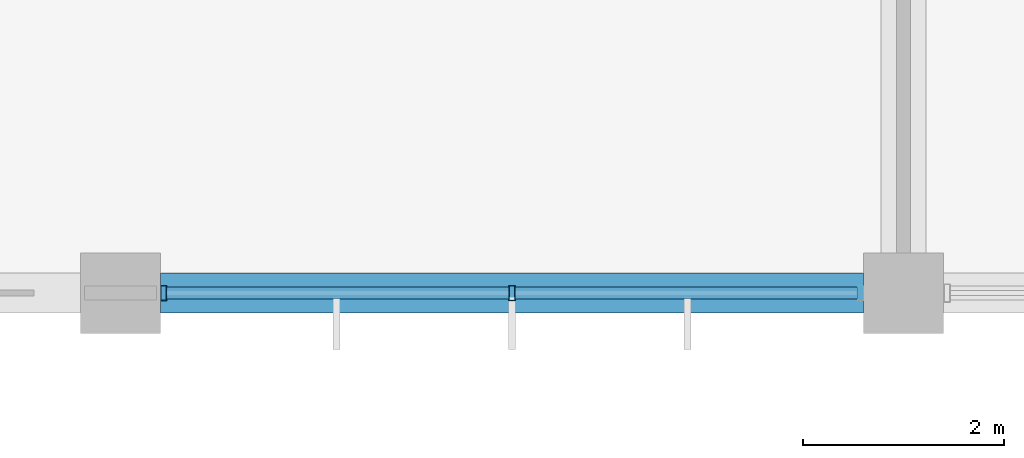
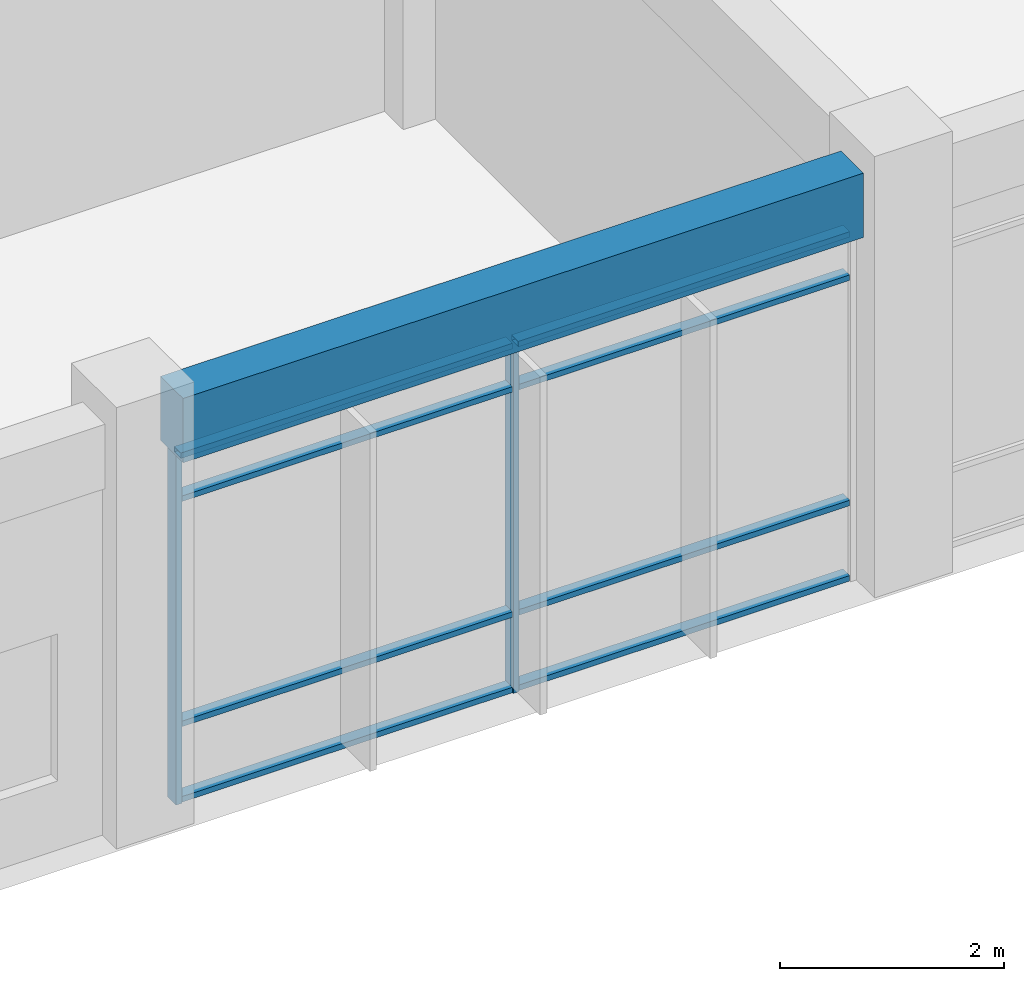
# One storey, part 9 of 62: 10 members, 1 beam, 1 element without a shape of its own.
"""IFC4 building model written with IfcOpenShell, lengths in metres."""

from ifc_helpers import new_model, si_unit, direction, frame, origin, origin_2d, place, context, subcontext, project, spatial, rectangle, hollow_rectangle, extrude, material, material_profile, profile_set, type_object, element, aggregate, save


model = new_model("IFC4")

# Units and contexts
model_context = context("Model", 3, precision=1e-05, world=origin(), true_north=direction((0.0, 1.0)))
body_context = subcontext(model_context, "Body", "Model", "MODEL_VIEW")
ifc_project = project(units=[si_unit("LENGTHUNIT", "METRE"), si_unit("AREAUNIT", "SQUARE_METRE"), si_unit("VOLUMEUNIT", "CUBIC_METRE"), si_unit("PLANEANGLEUNIT", "RADIAN"), si_unit("MASSUNIT", "GRAM", prefix="KILO"), si_unit("THERMODYNAMICTEMPERATUREUNIT", "KELVIN"), si_unit("POWERUNIT", "WATT")], contexts=[model_context])

# Site, building, storey
site_placement = place(None, origin())
site = spatial("IfcSite", under=ifc_project, at=site_placement, CompositionType="ELEMENT")
building_placement = place(site_placement, origin())
building = spatial("IfcBuilding", under=site, at=building_placement, Name="Srebrne Nadtorze General Hospital", CompositionType="ELEMENT")
storey_placement = place(building_placement, frame((0.0, 0.0, 9.60009765625)))
storey = spatial("IfcBuildingStorey", under=building, at=storey_placement, Name="L02", CompositionType="ELEMENT", Elevation=9.60009765625)

# Curtain wall, members
ifc_material_1 = material(Name="Anodised Aluminium", Category="aluminium")
curtain_wall_type = type_object("IfcCurtainWallType", Name="Unitised curtain wall 7000x3800", PredefinedType="NOTDEFINED", material=ifc_material_1)
curtain_wall_placement = place(storey_placement, origin())
curtain_wall = element("IfcCurtainWall", 1, at=curtain_wall_placement, inside=storey, type_object=curtain_wall_type, Name="Curtain wall CW-068", PredefinedType="NOTDEFINED")
ifc_material_2 = material(Name="Anodised Aluminium", Category="aluminium")
ifc_material_profile_1 = material_profile(ifc_material_2, hollow_rectangle(XDim=0.06005859375, YDim=0.14990234375, WallThickness=0.00390625, at=origin_2d()), Name="AL-MUL-60x150")
ifc_profile_set_1 = profile_set([ifc_material_profile_1], Name="Anodised Aluminium")
member_type_1 = type_object("IfcMemberType", Name="Curtain mullion 60x150", PredefinedType="MULLION", material=ifc_profile_set_1)
member_1_placement = place(storey_placement, frame((109.6298828125, 0.0, 0.0), z_axis=(0.0, 0.0, 1.0), x_axis=(1.0, 0.0, 0.0)))
member_1 = element("IfcMember", 2, at=member_1_placement, type_object=member_type_1, Name="CW-068 mullion 1", PredefinedType="MULLION", context=body_context, shape_type="SweptSolid", body=[
    extrude(hollow_rectangle(XDim=0.06005859375, YDim=0.14990234375, WallThickness=0.00390625, at=origin_2d()), origin(), (0.0, 0.0, 1.0), 3.7998046875),
])
member_2_placement = place(storey_placement, frame((113.10009765625, 0.0, 0.0), z_axis=(0.0, 0.0, 1.0), x_axis=(1.0, 0.0, 0.0)))
member_2 = element("IfcMember", 3, at=member_2_placement, type_object=member_type_1, Name="CW-068 mullion 2", PredefinedType="MULLION", context=body_context, shape_type="SweptSolid", body=[
    extrude(hollow_rectangle(XDim=0.06005859375, YDim=0.14990234375, WallThickness=0.00390625, at=origin_2d()), origin(), (0.0, 0.0, 1.0), 3.7998046875),
])
ifc_material_3 = material(Name="Anodised Aluminium", Category="aluminium")
ifc_material_profile_2 = material_profile(ifc_material_3, hollow_rectangle(XDim=0.06005859375, YDim=0.1201171875, WallThickness=0.00390625, at=origin_2d()), Name="AL-TRN-60x120")
ifc_profile_set_2 = profile_set([ifc_material_profile_2], Name="Anodised Aluminium")
member_type_2 = type_object("IfcMemberType", Name="Curtain transom 60x120", PredefinedType="USERDEFINED", material=ifc_profile_set_2)
member_3_placement = place(storey_placement, frame((109.659912109375, 0.0, 0.02978515625), z_axis=(1.0, 0.0, 0.0), x_axis=(0.0, 0.0, 1.0)))
member_3 = element("IfcMember", 4, at=member_3_placement, type_object=member_type_2, Name="CW-068 transom 1.1", ObjectType="TRANSOM", PredefinedType="USERDEFINED", context=body_context, shape_type="SweptSolid", body=[
    extrude(hollow_rectangle(XDim=0.06005859375, YDim=0.1201171875, WallThickness=0.00390625, at=origin_2d()), origin(), (0.0, 0.0, 1.0), 3.41015625),
])
member_4_placement = place(storey_placement, frame((109.659912109375, 0.0, 0.849853515625), z_axis=(1.0, 0.0, 0.0), x_axis=(0.0, 0.0, 1.0)))
member_4 = element("IfcMember", 5, at=member_4_placement, type_object=member_type_2, Name="CW-068 transom 1.2", ObjectType="TRANSOM", PredefinedType="USERDEFINED", context=body_context, shape_type="SweptSolid", body=[
    extrude(hollow_rectangle(XDim=0.06005859375, YDim=0.1201171875, WallThickness=0.00390625, at=origin_2d()), origin(), (0.0, 0.0, 1.0), 3.41015625),
])
member_5_placement = place(storey_placement, frame((109.659912109375, 0.0, 3.2998046875), z_axis=(1.0, 0.0, 0.0), x_axis=(0.0, 0.0, 1.0)))
member_5 = element("IfcMember", 6, at=member_5_placement, type_object=member_type_2, Name="CW-068 transom 1.3", ObjectType="TRANSOM", PredefinedType="USERDEFINED", context=body_context, shape_type="SweptSolid", body=[
    extrude(hollow_rectangle(XDim=0.06005859375, YDim=0.1201171875, WallThickness=0.00390625, at=origin_2d()), origin(), (0.0, 0.0, 1.0), 3.41015625),
])
member_6_placement = place(storey_placement, frame((109.659912109375, 0.0, 3.77001953125), z_axis=(1.0, 0.0, 0.0), x_axis=(0.0, 0.0, 1.0)))
member_6 = element("IfcMember", 7, at=member_6_placement, type_object=member_type_2, Name="CW-068 transom 1.4", ObjectType="TRANSOM", PredefinedType="USERDEFINED", context=body_context, shape_type="SweptSolid", body=[
    extrude(hollow_rectangle(XDim=0.06005859375, YDim=0.1201171875, WallThickness=0.00390625, at=origin_2d()), origin(), (0.0, 0.0, 1.0), 3.41015625),
])
member_7_placement = place(storey_placement, frame((113.1298828125, 0.0, 0.02978515625), z_axis=(1.0, 0.0, 0.0), x_axis=(0.0, 0.0, 1.0)))
member_7 = element("IfcMember", 8, at=member_7_placement, type_object=member_type_2, Name="CW-068 transom 2.1", ObjectType="TRANSOM", PredefinedType="USERDEFINED", context=body_context, shape_type="SweptSolid", body=[
    extrude(hollow_rectangle(XDim=0.06005859375, YDim=0.1201171875, WallThickness=0.00390625, at=origin_2d()), origin(), (0.0, 0.0, 1.0), 3.41015625),
])
member_8_placement = place(storey_placement, frame((113.1298828125, 0.0, 0.849853515625), z_axis=(1.0, 0.0, 0.0), x_axis=(0.0, 0.0, 1.0)))
member_8 = element("IfcMember", 9, at=member_8_placement, type_object=member_type_2, Name="CW-068 transom 2.2", ObjectType="TRANSOM", PredefinedType="USERDEFINED", context=body_context, shape_type="SweptSolid", body=[
    extrude(hollow_rectangle(XDim=0.06005859375, YDim=0.1201171875, WallThickness=0.00390625, at=origin_2d()), origin(), (0.0, 0.0, 1.0), 3.41015625),
])
member_9_placement = place(storey_placement, frame((113.1298828125, 0.0, 3.2998046875), z_axis=(1.0, 0.0, 0.0), x_axis=(0.0, 0.0, 1.0)))
member_9 = element("IfcMember", 10, at=member_9_placement, type_object=member_type_2, Name="CW-068 transom 2.3", ObjectType="TRANSOM", PredefinedType="USERDEFINED", context=body_context, shape_type="SweptSolid", body=[
    extrude(hollow_rectangle(XDim=0.06005859375, YDim=0.1201171875, WallThickness=0.00390625, at=origin_2d()), origin(), (0.0, 0.0, 1.0), 3.41015625),
])
member_10_placement = place(storey_placement, frame((113.1298828125, 0.0, 3.77001953125), z_axis=(1.0, 0.0, 0.0), x_axis=(0.0, 0.0, 1.0)))
member_10 = element("IfcMember", 11, at=member_10_placement, type_object=member_type_2, Name="CW-068 transom 2.4", ObjectType="TRANSOM", PredefinedType="USERDEFINED", context=body_context, shape_type="SweptSolid", body=[
    extrude(hollow_rectangle(XDim=0.06005859375, YDim=0.1201171875, WallThickness=0.00390625, at=origin_2d()), origin(), (0.0, 0.0, 1.0), 3.41015625),
])
aggregate(curtain_wall, [member_1, member_2, member_3, member_4, member_5, member_6, member_7, member_8, member_9, member_10])

# Beam
ifc_material_4 = material(Name="Concrete C40/50", Category="concrete")
ifc_material_profile_3 = material_profile(ifc_material_4, rectangle(XDim=0.39990234375, YDim=0.699951171875, at=origin_2d()), Name="RC-BM-400x700")
ifc_profile_set_3 = profile_set([ifc_material_profile_3], Name="Concrete C40/50")
beam_type = type_object("IfcBeamType", Name="Edge beam RC 400x700", PredefinedType="BEAM", material=ifc_profile_set_3)
beam_placement = place(storey_placement, frame((109.60009765625, 0.0, 4.14990234375), z_axis=(1.0, 0.0, 0.0), x_axis=(0.0, 1.0, 0.0)))
element("IfcBeam", 12, at=beam_placement, inside=storey, type_object=beam_type, Name="Beam BM-L02-X-0558", PredefinedType="BEAM", context=body_context, shape_type="SweptSolid", body=[
    extrude(rectangle(XDim=0.39990234375, YDim=0.699951171875, at=origin_2d()), origin(), (0.0, 0.0, 1.0), 7.0),
])

save(model, "model.ifc")
